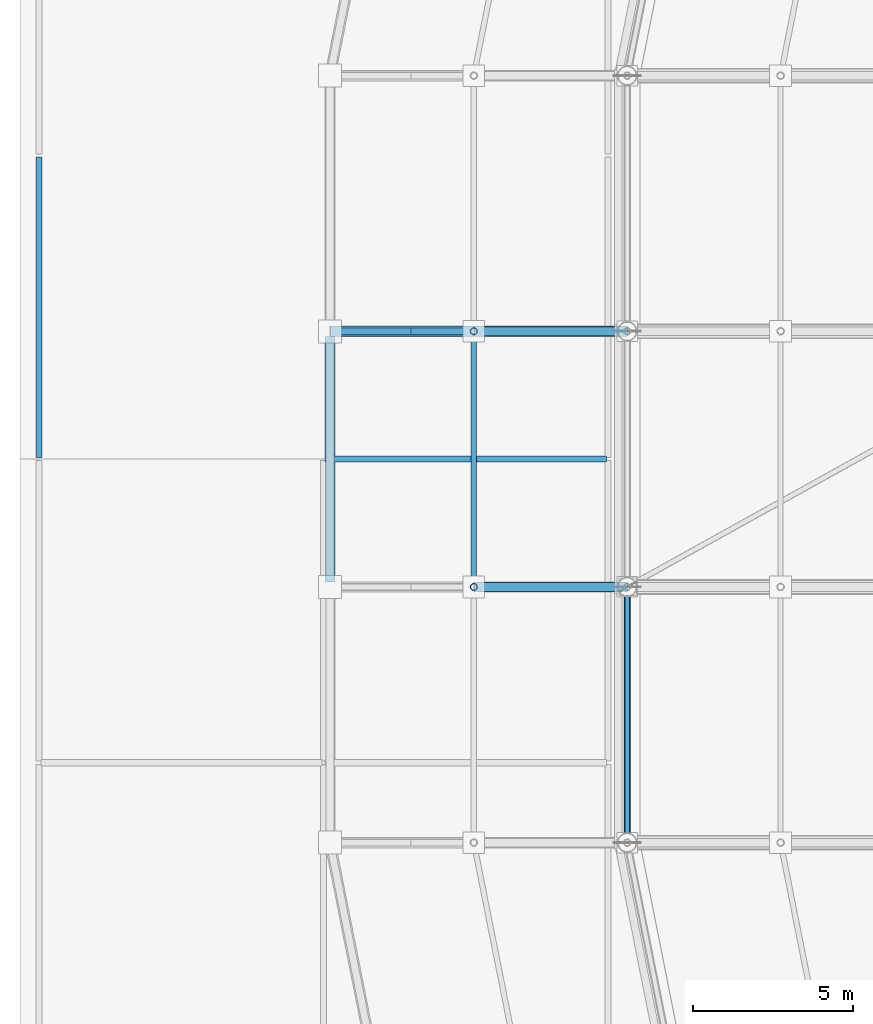
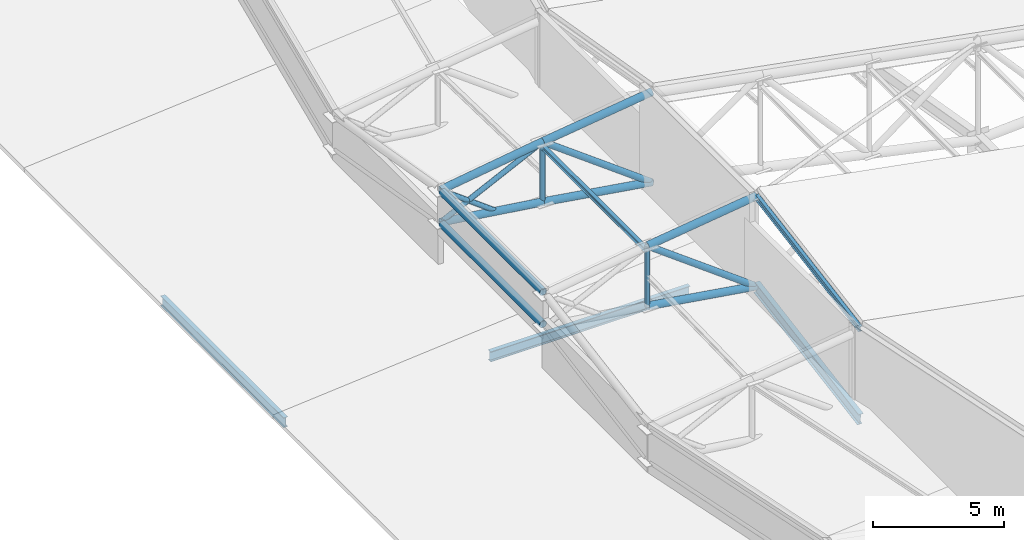
# One storey, part 37 of 146: 15 members, 4 beams.
"""IFC4 building model written with IfcOpenShell, lengths in metres."""

from ifc_helpers import new_model, si_unit, direction, frame, origin, origin_2d, place, context, subcontext, project, spatial, hollow_circle, i_section, extrude, material, material_profile, profile_set, type_object, element, save


model = new_model("IFC4")

# Units and contexts
model_context = context("Model", 3, precision=1e-05, world=origin(), true_north=direction((0.0, 1.0)))
body_context = subcontext(model_context, "Body", "Model", "MODEL_VIEW")
ifc_project = project(units=[si_unit("LENGTHUNIT", "METRE"), si_unit("AREAUNIT", "SQUARE_METRE"), si_unit("VOLUMEUNIT", "CUBIC_METRE"), si_unit("PLANEANGLEUNIT", "RADIAN"), si_unit("MASSUNIT", "GRAM", prefix="KILO")], contexts=[model_context])

# Site, building, storey
site_placement = place(None, origin())
site = spatial("IfcSite", under=ifc_project, at=site_placement, CompositionType="ELEMENT")
building_placement = place(site_placement, origin())
building = spatial("IfcBuilding", under=site, at=building_placement, Name="Candeia Ridge Stadium", CompositionType="ELEMENT")
storey_placement = place(building_placement, frame((0.0, 0.0, 31.800048828125)))
storey = spatial("IfcBuildingStorey", under=building, at=storey_placement, Name="RF", CompositionType="ELEMENT", Elevation=31.800048828125)

# Beams
ifc_material = material(Name="Steel ASTM A572 Grade 50", Category="steel")
ifc_material_profile_1 = material_profile(ifc_material, i_section(OverallWidth=0.14794921875, OverallDepth=0.26611328125, WebThickness=0.007568359375, FlangeThickness=0.012939453125, FilletRadius=0.010986328125, at=origin_2d()), Name="W250x44.8", Category="steel")
ifc_profile_set_1 = profile_set([ifc_material_profile_1], Name="Steel ASTM A572 Grade 50")
beam_type_1 = type_object("IfcBeamType", Name="Canopy Edge Spandrel W250x44.8", PredefinedType="SPANDREL", material=ifc_profile_set_1)
beam_1_placement = place(storey_placement, frame((19.0, 78.960693359375, 5.978759765625), z_axis=(0.0, -0.985328318339, -0.170669578656), x_axis=(1.0, 0.0, 0.0)))
element("IfcBeam", 1, at=beam_1_placement, inside=storey, type_object=beam_type_1, Name="Roof crown cap ring beam bay 14", PredefinedType="SPANDREL", context=body_context, shape_type="SweptSolid", body=[
    extrude(i_section(OverallWidth=0.14794921875, OverallDepth=0.26611328125, WebThickness=0.007568359375, FlangeThickness=0.012939453125, FilletRadius=0.010986328125, at=origin_2d()), origin(), (0.0, 0.0, 1.0), 8.039306640625),
])
ifc_material_profile_2 = material_profile(ifc_material, i_section(OverallWidth=0.194091796875, OverallDepth=0.468994140625, WebThickness=0.0126953125, FlangeThickness=0.0205078125, FilletRadius=0.012939453125, at=origin_2d()), Name="W460x106", Category="steel")
ifc_profile_set_2 = profile_set([ifc_material_profile_2], Name="Steel ASTM A572 Grade 50")
beam_type_2 = type_object("IfcBeamType", Name="Gondola Primary Girder W460x106", PredefinedType="BEAM", material=ifc_profile_set_2)
beam_2_placement = place(storey_placement, frame((9.550048828125, 83.0, -0.58447265625), z_axis=(1.0, 0.0, 0.0), x_axis=(0.0, 1.0, 0.0)))
element("IfcBeam", 2, at=beam_2_placement, inside=storey, type_object=beam_type_2, Name="Structural girder BM-RF-1448", PredefinedType="BEAM", context=body_context, shape_type="SweptSolid", body=[
    extrude(i_section(OverallWidth=0.194091796875, OverallDepth=0.468994140625, WebThickness=0.0126953125, FlangeThickness=0.0205078125, FilletRadius=0.012939453125, at=origin_2d()), origin(), (0.0, 0.0, 1.0), 8.800048828125),
])
ifc_material_profile_3 = material_profile(ifc_material, i_section(OverallWidth=0.18994140625, OverallDepth=0.45703125, WebThickness=0.009033203125, FlangeThickness=0.014404296875, FilletRadius=0.012939453125, at=origin_2d()), Name="W460x74", Category="steel")
ifc_profile_set_3 = profile_set([ifc_material_profile_3], Name="Steel ASTM A572 Grade 50")
beam_type_3 = type_object("IfcBeamType", Name="Pavilion Steel Girder W460x74", PredefinedType="BEAM", material=ifc_profile_set_3)
beam_3_placement = place(storey_placement, frame((0.60009765625, 83.050048828125, -0.57861328125), z_axis=(0.0, 1.0, 0.0), x_axis=(-1.0, 0.0, 0.0)))
element("IfcBeam", 3, at=beam_3_placement, inside=storey, type_object=beam_type_3, Name="Structural girder BM-RF-1423", PredefinedType="BEAM", context=body_context, shape_type="SweptSolid", body=[
    extrude(i_section(OverallWidth=0.18994140625, OverallDepth=0.45703125, WebThickness=0.009033203125, FlangeThickness=0.014404296875, FilletRadius=0.012939453125, at=origin_2d()), origin(), (0.0, 0.0, 1.0), 9.39990234375),
])
ifc_material_profile_4 = material_profile(ifc_material, i_section(OverallWidth=0.2119140625, OverallDepth=0.5439453125, WebThickness=0.01318359375, FlangeThickness=0.021240234375, FilletRadius=0.013916015625, at=origin_2d()), Name="W530x123", Category="steel")
ifc_profile_set_4 = profile_set([ifc_material_profile_4], Name="Steel ASTM A572 Grade 50")
beam_type_4 = type_object("IfcBeamType", Name="Roof Perimeter Ring Beam W530x123", PredefinedType="BEAM", material=ifc_profile_set_4)
beam_4_placement = place(storey_placement, frame((19.0, 78.960693359375, 1.77880859375), z_axis=(0.0, -0.985328318339, -0.170669578656), x_axis=(1.0, 0.0, 0.0)))
element("IfcBeam", 4, at=beam_4_placement, inside=storey, type_object=beam_type_4, Name="Roof perimeter ring beam bay 14", PredefinedType="BEAM", context=body_context, shape_type="SweptSolid", body=[
    extrude(i_section(OverallWidth=0.2119140625, OverallDepth=0.5439453125, WebThickness=0.01318359375, FlangeThickness=0.021240234375, FilletRadius=0.013916015625, at=origin_2d()), origin(), (0.0, 0.0, 1.0), 8.039306640625),
])

# Members
ifc_material_profile_5 = material_profile(ifc_material, i_section(OverallWidth=0.1650390625, OverallDepth=0.200927734375, WebThickness=0.006103515625, FlangeThickness=0.01025390625, FilletRadius=0.010009765625, at=origin_2d()), Name="W200x35.9", Category="steel")
ifc_profile_set_5 = profile_set([ifc_material_profile_5], Name="Steel ASTM A572 Grade 50")
member_type_1 = type_object("IfcMemberType", Name="Roof Purlin W200x35.9", PredefinedType="PURLIN", material=ifc_profile_set_5)
member_1_placement = place(storey_placement, frame((14.199951171875, 86.949951171875, 5.1240234375), z_axis=(0.0, -1.0, 0.0), x_axis=(1.0, 0.0, 0.0)))
element("IfcMember", 5, at=member_1_placement, inside=storey, type_object=member_type_1, Name="Saddle roof steel purlin bay 13-5", PredefinedType="PURLIN", context=body_context, shape_type="SweptSolid", body=[
    extrude(i_section(OverallWidth=0.1650390625, OverallDepth=0.200927734375, WebThickness=0.006103515625, FlangeThickness=0.01025390625, FilletRadius=0.010009765625, at=origin_2d()), origin(), (0.0, 0.0, 1.0), 7.89990234375),
])
ifc_material_profile_6 = material_profile(ifc_material, hollow_circle(Radius=0.161865234375, WallThickness=0.012451171875, at=origin_2d()), Name="CHS323x12", Category="steel")
ifc_profile_set_6 = profile_set([ifc_material_profile_6], Name="Steel ASTM A572 Grade 50")
member_type_2 = type_object("IfcMemberType", Name="Roof Truss Eaves Chord CHS323x12", PredefinedType="CHORD", material=ifc_profile_set_6)
member_2_placement = place(storey_placement, frame((19.0, 87.0, 5.985595703125), z_axis=(-0.991184698971, 0.0, -0.132487329683), x_axis=(0.0, -1.0, 0.0)))
element("IfcMember", 6, at=member_2_placement, inside=storey, type_object=member_type_2, Name="Roof cantilever truss RT-13 top chord 7", PredefinedType="CHORD", context=body_context, shape_type="SweptSolid", body=[
    extrude(hollow_circle(Radius=0.161865234375, WallThickness=0.012451171875, at=origin_2d()), origin(), (0.0, 0.0, 1.0), 4.8427734375),
])
member_3_placement = place(storey_placement, frame((19.0, 87.0, 1.78564453125), z_axis=(-0.987958563397, 0.0, 0.154718702848), x_axis=(0.0, -1.0, 0.0)))
element("IfcMember", 7, at=member_3_placement, inside=storey, type_object=member_type_2, Name="Roof cantilever truss RT-13 bottom chord 7", PredefinedType="CHORD", context=body_context, shape_type="SweptSolid", body=[
    extrude(hollow_circle(Radius=0.161865234375, WallThickness=0.012451171875, at=origin_2d()), origin(), (0.0, 0.0, 1.0), 4.858642578125),
])
member_4_placement = place(storey_placement, frame((14.199951171875, 87.0, 5.343994140625), z_axis=(-0.988855931513, 0.0, -0.148875608179), x_axis=(0.0, -1.0, 0.0)))
element("IfcMember", 8, at=member_4_placement, inside=storey, type_object=member_type_2, Name="Roof cantilever truss RT-13 top chord 8", PredefinedType="CHORD", context=body_context, shape_type="SweptSolid", body=[
    extrude(hollow_circle(Radius=0.161865234375, WallThickness=0.012451171875, at=origin_2d()), origin(), (0.0, 0.0, 1.0), 4.55078125),
])
member_5_placement = place(storey_placement, frame((14.199951171875, 87.0, 2.537353515625), z_axis=(-0.990367404155, 0.0, 0.138464453153), x_axis=(0.0, -1.0, 0.0)))
element("IfcMember", 9, at=member_5_placement, inside=storey, type_object=member_type_2, Name="Roof cantilever truss RT-13 bottom chord 8", PredefinedType="CHORD", context=body_context, shape_type="SweptSolid", body=[
    extrude(hollow_circle(Radius=0.161865234375, WallThickness=0.012451171875, at=origin_2d()), origin(), (0.0, 0.0, 1.0), 4.543701171875),
])
for number, where, z_axis, x_axis, name in (
    (10, (9.699951171875, 86.840087890625, 4.66650390625), (0.0, -1.0, 0.0), (1.0, 0.0, 0.0), "Saddle roof outer eaves top ring chord bay 13"),
    (11, (9.699951171875, 86.840087890625, 3.16650390625), (0.0, -1.0, 0.0), (1.0, 0.0, 0.0), "Saddle roof outer eaves bottom ring chord bay 13"),
):
    element("IfcMember", number, at=place(storey_placement, frame(where, z_axis=z_axis, x_axis=x_axis)), inside=storey, type_object=member_type_2, Name=name, PredefinedType="CHORD", context=body_context, shape_type="SweptSolid", body=[
        extrude(hollow_circle(Radius=0.161865234375, WallThickness=0.012451171875, at=origin_2d()), origin(), (0.0, 0.0, 1.0), 7.68017578125),
    ])
member_6_placement = place(storey_placement, frame((19.0, 79.0, 5.985595703125), z_axis=(-0.991184698971, 0.0, -0.132487329683), x_axis=(0.0, -1.0, 0.0)))
element("IfcMember", 12, at=member_6_placement, inside=storey, type_object=member_type_2, Name="Roof cantilever truss RT-14 top chord 7", PredefinedType="CHORD", context=body_context, shape_type="SweptSolid", body=[
    extrude(hollow_circle(Radius=0.161865234375, WallThickness=0.012451171875, at=origin_2d()), origin(), (0.0, 0.0, 1.0), 4.8427734375),
])
member_7_placement = place(storey_placement, frame((19.0, 79.0, 1.78564453125), z_axis=(-0.987958563397, 0.0, 0.154718702848), x_axis=(0.0, -1.0, 0.0)))
element("IfcMember", 13, at=member_7_placement, inside=storey, type_object=member_type_2, Name="Roof cantilever truss RT-14 bottom chord 7", PredefinedType="CHORD", context=body_context, shape_type="SweptSolid", body=[
    extrude(hollow_circle(Radius=0.161865234375, WallThickness=0.012451171875, at=origin_2d()), origin(), (0.0, 0.0, 1.0), 4.858642578125),
])
ifc_material_profile_7 = material_profile(ifc_material, hollow_circle(Radius=0.136474609375, WallThickness=0.010009765625, at=origin_2d()), Name="CHS273x10", Category="steel")
ifc_profile_set_7 = profile_set([ifc_material_profile_7], Name="Steel ASTM A572 Grade 50")
member_type_3 = type_object("IfcMemberType", Name="Roof Truss Heavy Web Brace CHS273x10", PredefinedType="BRACE", material=ifc_profile_set_7)
for number, where, z_axis, x_axis, name in (
    (14, (19.0, 87.0, 1.78564453125), (-0.803336374347, 0.0, 0.595525540721), (0.0, -1.0, 0.0), "Roof cantilever truss RT-13 diagonal web 7"),
    (15, (19.0, 79.0, 1.78564453125), (-0.803336374347, 0.0, 0.595525540721), (0.0, -1.0, 0.0), "Roof cantilever truss RT-14 diagonal web 7"),
):
    element("IfcMember", number, at=place(storey_placement, frame(where, z_axis=z_axis, x_axis=x_axis)), inside=storey, type_object=member_type_3, Name=name, PredefinedType="BRACE", context=body_context, shape_type="SweptSolid", body=[
        extrude(hollow_circle(Radius=0.136474609375, WallThickness=0.010009765625, at=origin_2d()), origin(), (0.0, 0.0, 1.0), 5.97509765625),
    ])
ifc_material_profile_8 = material_profile(ifc_material, hollow_circle(Radius=0.109619140625, WallThickness=0.010009765625, at=origin_2d()), Name="CHS219x10", Category="steel")
ifc_profile_set_8 = profile_set([ifc_material_profile_8], Name="Steel ASTM A572 Grade 50")
member_type_4 = type_object("IfcMemberType", Name="Roof Truss Inner Web Brace CHS219x10", PredefinedType="BRACE", material=ifc_profile_set_8)
member_8_placement = place(storey_placement, frame((14.199951171875, 87.0, 5.343994140625), z_axis=(-0.900153692386, 0.0, -0.435572416579), x_axis=(0.0, -1.0, 0.0)))
element("IfcMember", 16, at=member_8_placement, inside=storey, type_object=member_type_4, Name="Roof cantilever truss RT-13 diagonal web 8", PredefinedType="BRACE", context=body_context, shape_type="SweptSolid", body=[
    extrude(hollow_circle(Radius=0.109619140625, WallThickness=0.010009765625, at=origin_2d()), origin(), (0.0, 0.0, 1.0), 4.999267578125),
])
member_9_placement = place(storey_placement, frame((14.199951171875, 87.0, 2.537353515625), z_axis=(0.0, 0.0, 1.0), x_axis=(1.0, 0.0, 0.0)))
element("IfcMember", 17, at=member_9_placement, inside=storey, type_object=member_type_4, Name="Roof cantilever truss RT-13 vertical post 7", PredefinedType="BRACE", context=body_context, shape_type="SweptSolid", body=[
    extrude(hollow_circle(Radius=0.109619140625, WallThickness=0.010009765625, at=origin_2d()), origin(), (0.0, 0.0, 1.0), 2.806640625),
])
member_10_placement = place(storey_placement, frame((12.175048828125, 87.0, 2.820556640625), z_axis=(-0.80161013398, 0.0, 0.597847131883), x_axis=(0.0, -1.0, 0.0)))
element("IfcMember", 18, at=member_10_placement, inside=storey, type_object=member_type_4, Name="Roof cantilever truss RT-13 vertical post 8", PredefinedType="BRACE", context=body_context, shape_type="SweptSolid", body=[
    extrude(hollow_circle(Radius=0.109619140625, WallThickness=0.010009765625, at=origin_2d()), origin(), (0.0, 0.0, 1.0), 3.087646484375),
])
member_11_placement = place(storey_placement, frame((14.199951171875, 79.0, 2.537353515625), z_axis=(0.0, 0.0, 1.0), x_axis=(1.0, 0.0, 0.0)))
element("IfcMember", 19, at=member_11_placement, inside=storey, type_object=member_type_4, Name="Roof cantilever truss RT-14 vertical post 7", PredefinedType="BRACE", context=body_context, shape_type="SweptSolid", body=[
    extrude(hollow_circle(Radius=0.109619140625, WallThickness=0.010009765625, at=origin_2d()), origin(), (0.0, 0.0, 1.0), 2.806640625),
])

save(model, "model.ifc")
